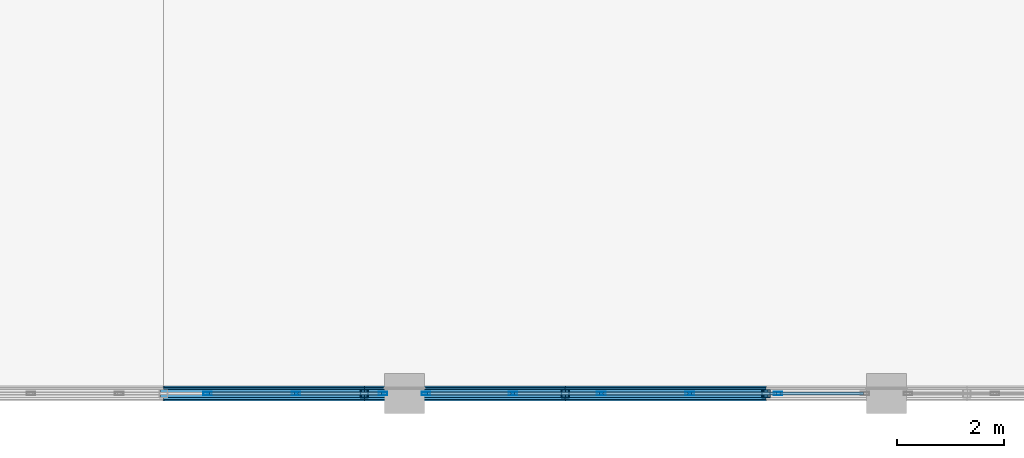
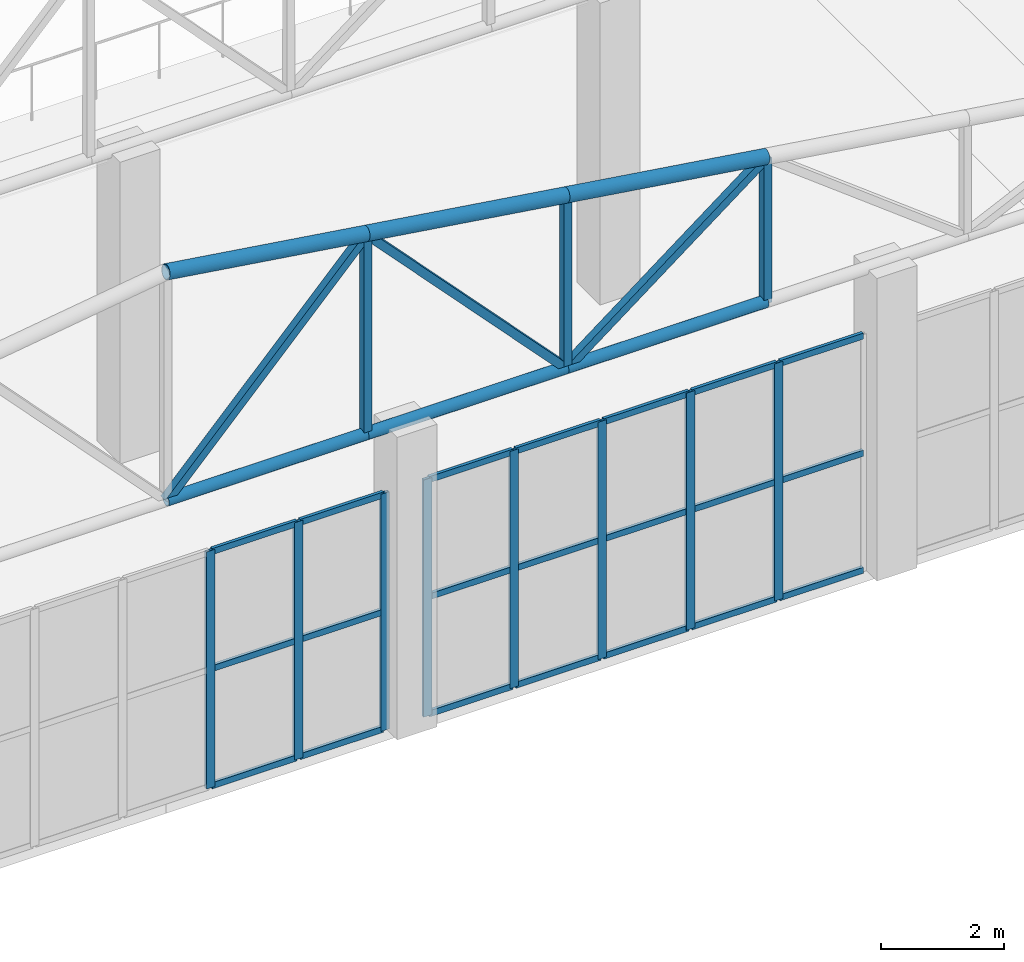
# One storey, part 50 of 223: 41 members, 2 elements without a shape of their own.
"""IFC4 building model written with IfcOpenShell, lengths in metres."""

from ifc_helpers import new_model, si_unit, direction, frame, origin, origin_2d, place, context, subcontext, project, spatial, hollow_rectangle, hollow_circle, extrude, material, layer, layer_set, material_profile, profile_set, type_object, element, aggregate, save


model = new_model("IFC4")

# Units and contexts
model_context = context("Model", 3, precision=1e-05, world=origin(), true_north=direction((0.0, 1.0)))
body_context = subcontext(model_context, "Body", "Model", "MODEL_VIEW")
ifc_project = project(units=[si_unit("LENGTHUNIT", "METRE"), si_unit("AREAUNIT", "SQUARE_METRE"), si_unit("VOLUMEUNIT", "CUBIC_METRE"), si_unit("PLANEANGLEUNIT", "RADIAN"), si_unit("MASSUNIT", "GRAM", prefix="KILO")], contexts=[model_context])

# Site, building, storey
site_placement = place(None, origin())
site = spatial("IfcSite", under=ifc_project, at=site_placement, CompositionType="ELEMENT")
building_placement = place(site_placement, origin())
building = spatial("IfcBuilding", under=site, at=building_placement, Name="Dornveld Trade and Exhibition Forum", CompositionType="ELEMENT")
storey_placement = place(building_placement, frame((0.0, 0.0, 6.0)))
storey = spatial("IfcBuildingStorey", under=building, at=storey_placement, Name="L01", CompositionType="ELEMENT", Elevation=6.0)

# Curtain wall, members
ifc_material_1 = material(Name="Dark-bronze anodised aluminium and low-E glass", Category="aluminium")
ifc_layer_1 = layer(ifc_material_1, 0.1689453125)
ifc_layer_set_1 = layer_set([ifc_layer_1], Name="Dark-bronze anodised aluminium and low-E glass")
curtain_wall_type_1 = type_object("IfcCurtainWallType", Name="CW-SYS-09", PredefinedType="USERDEFINED", material=ifc_layer_set_1)
curtain_wall_1_placement = place(storey_placement, origin())
curtain_wall_1 = element("IfcCurtainWall", 1, at=curtain_wall_1_placement, inside=storey, type_object=curtain_wall_type_1, Name="L01 unitised curtain wall 135", ObjectType="UNITISED_CURTAIN_WALL", PredefinedType="USERDEFINED")
ifc_material_2 = material(Name="Dark-bronze anodised aluminium", Category="aluminium")
ifc_material_profile_1 = material_profile(ifc_material_2, hollow_rectangle(XDim=0.06005859375, YDim=0.159912109375, WallThickness=0.00390625, at=origin_2d()), Name="RHS 160x60x4")
ifc_profile_set_1 = profile_set([ifc_material_profile_1], Name="Dark-bronze anodised aluminium")
member_type_1 = type_object("IfcMemberType", Name="CW-MUL-160", PredefinedType="MULLION", material=ifc_profile_set_1)
member_1_placement = place(storey_placement, frame((176.32568359375, 0.0, -0.00390625), z_axis=(0.0, 0.0, 1.0), x_axis=(0.0, 1.0, 0.0)))
member_1 = element("IfcMember", 2, at=member_1_placement, type_object=member_type_1, Name="CW-09 mullion 4", PredefinedType="MULLION", context=body_context, shape_type="SweptSolid", body=[
    extrude(hollow_rectangle(XDim=0.06005859375, YDim=0.159912109375, WallThickness=0.00390625, at=origin_2d()), origin(), (0.0, 0.0, 1.0), 4.703857421875),
])
member_2_placement = place(storey_placement, frame((177.977294921875, 0.0, -0.00390625), z_axis=(0.0, 0.0, 1.0), x_axis=(0.0, 1.0, 0.0)))
member_2 = element("IfcMember", 3, at=member_2_placement, type_object=member_type_1, Name="CW-09 mullion 5", PredefinedType="MULLION", context=body_context, shape_type="SweptSolid", body=[
    extrude(hollow_rectangle(XDim=0.06005859375, YDim=0.159912109375, WallThickness=0.00390625, at=origin_2d()), origin(), (0.0, 0.0, 1.0), 4.703857421875),
])
member_3_placement = place(storey_placement, frame((179.59912109375, 0.0, -0.00390625), z_axis=(0.0, 0.0, 1.0), x_axis=(0.0, 1.0, 0.0)))
member_3 = element("IfcMember", 4, at=member_3_placement, type_object=member_type_1, Name="CW-09 mullion 6", PredefinedType="MULLION", context=body_context, shape_type="SweptSolid", body=[
    extrude(hollow_rectangle(XDim=0.06005859375, YDim=0.159912109375, WallThickness=0.00390625, at=origin_2d()), origin(), (0.0, 0.0, 1.0), 4.703857421875),
])

ifc_material_3 = material(Name="Dark-bronze anodised aluminium and low-E glass", Category="aluminium")
ifc_layer_2 = layer(ifc_material_3, 0.172119140625)
ifc_layer_set_2 = layer_set([ifc_layer_2], Name="Dark-bronze anodised aluminium and low-E glass")
curtain_wall_type_2 = type_object("IfcCurtainWallType", Name="CW-SYS-10", PredefinedType="USERDEFINED", material=ifc_layer_set_2)
curtain_wall_2_placement = place(storey_placement, origin())
curtain_wall_2 = element("IfcCurtainWall", 5, at=curtain_wall_2_placement, inside=storey, type_object=curtain_wall_type_2, Name="L01 unitised curtain wall 136", ObjectType="UNITISED_CURTAIN_WALL", PredefinedType="USERDEFINED")
member_4_placement = place(storey_placement, frame((180.40087890625, 0.0, -0.00390625), z_axis=(0.0, 0.0, 1.0), x_axis=(0.0, 1.0, 0.0)))
member_4 = element("IfcMember", 6, at=member_4_placement, type_object=member_type_1, Name="CW-10 mullion 1", PredefinedType="MULLION", context=body_context, shape_type="SweptSolid", body=[
    extrude(hollow_rectangle(XDim=0.06005859375, YDim=0.159912109375, WallThickness=0.00390625, at=origin_2d()), origin(), (0.0, 0.0, 1.0), 4.703857421875),
])
member_5_placement = place(storey_placement, frame((182.022705078125, 0.0, -0.00390625), z_axis=(0.0, 0.0, 1.0), x_axis=(0.0, 1.0, 0.0)))
member_5 = element("IfcMember", 7, at=member_5_placement, type_object=member_type_1, Name="CW-10 mullion 2", PredefinedType="MULLION", context=body_context, shape_type="SweptSolid", body=[
    extrude(hollow_rectangle(XDim=0.06005859375, YDim=0.159912109375, WallThickness=0.00390625, at=origin_2d()), origin(), (0.0, 0.0, 1.0), 4.703857421875),
])
member_6_placement = place(storey_placement, frame((183.67431640625, 0.0, -0.00390625), z_axis=(0.0, 0.0, 1.0), x_axis=(0.0, 1.0, 0.0)))
member_6 = element("IfcMember", 8, at=member_6_placement, type_object=member_type_1, Name="CW-10 mullion 3", PredefinedType="MULLION", context=body_context, shape_type="SweptSolid", body=[
    extrude(hollow_rectangle(XDim=0.06005859375, YDim=0.159912109375, WallThickness=0.00390625, at=origin_2d()), origin(), (0.0, 0.0, 1.0), 4.703857421875),
])
member_7_placement = place(storey_placement, frame((185.32568359375, 0.0, -0.00390625), z_axis=(0.0, 0.0, 1.0), x_axis=(0.0, 1.0, 0.0)))
member_7 = element("IfcMember", 9, at=member_7_placement, type_object=member_type_1, Name="CW-10 mullion 4", PredefinedType="MULLION", context=body_context, shape_type="SweptSolid", body=[
    extrude(hollow_rectangle(XDim=0.06005859375, YDim=0.159912109375, WallThickness=0.00390625, at=origin_2d()), origin(), (0.0, 0.0, 1.0), 4.703857421875),
])
member_8_placement = place(storey_placement, frame((186.977294921875, 0.0, -0.00390625), z_axis=(0.0, 0.0, 1.0), x_axis=(0.0, 1.0, 0.0)))
member_8 = element("IfcMember", 10, at=member_8_placement, type_object=member_type_1, Name="CW-10 mullion 5", PredefinedType="MULLION", context=body_context, shape_type="SweptSolid", body=[
    extrude(hollow_rectangle(XDim=0.06005859375, YDim=0.159912109375, WallThickness=0.00390625, at=origin_2d()), origin(), (0.0, 0.0, 1.0), 4.703857421875),
])

# Member
ifc_material_4 = material(Name="Dark-bronze anodised aluminium", Category="aluminium")
ifc_material_profile_2 = material_profile(ifc_material_4, hollow_rectangle(XDim=0.06005859375, YDim=0.1201171875, WallThickness=0.00390625, at=origin_2d()), Name="RHS 120x60x4")
ifc_profile_set_2 = profile_set([ifc_material_profile_2], Name="Dark-bronze anodised aluminium")
member_type_2 = type_object("IfcMemberType", Name="CW-TRN-120", PredefinedType="USERDEFINED", material=ifc_profile_set_2)
member_9_placement = place(storey_placement, frame((176.355712890625, 0.0, 0.02587890625), z_axis=(1.0, 0.0, 0.0), x_axis=(0.0, 1.0, 0.0)))
member_9 = element("IfcMember", 11, at=member_9_placement, type_object=member_type_2, Name="CW-09 transom 4.1", ObjectType="TRANSOM", PredefinedType="USERDEFINED", context=body_context, shape_type="SweptSolid", body=[
    extrude(hollow_rectangle(XDim=0.06005859375, YDim=0.1201171875, WallThickness=0.00390625, at=origin_2d()), origin(), (0.0, 0.0, 1.0), 1.591796875),
])

member_10_placement = place(storey_placement, frame((176.355712890625, 0.0, 2.347900390625), z_axis=(1.0, 0.0, 0.0), x_axis=(0.0, 1.0, 0.0)))
member_10 = element("IfcMember", 12, at=member_10_placement, type_object=member_type_2, Name="CW-09 transom 4.2", ObjectType="TRANSOM", PredefinedType="USERDEFINED", context=body_context, shape_type="SweptSolid", body=[
    extrude(hollow_rectangle(XDim=0.06005859375, YDim=0.1201171875, WallThickness=0.00390625, at=origin_2d()), origin(), (0.0, 0.0, 1.0), 1.591796875),
])

member_11_placement = place(storey_placement, frame((176.355712890625, 0.0, 4.669921875), z_axis=(1.0, 0.0, 0.0), x_axis=(0.0, 1.0, 0.0)))
member_11 = element("IfcMember", 13, at=member_11_placement, type_object=member_type_2, Name="CW-09 transom 4.3", ObjectType="TRANSOM", PredefinedType="USERDEFINED", context=body_context, shape_type="SweptSolid", body=[
    extrude(hollow_rectangle(XDim=0.06005859375, YDim=0.1201171875, WallThickness=0.00390625, at=origin_2d()), origin(), (0.0, 0.0, 1.0), 1.591796875),
])

member_12_placement = place(storey_placement, frame((178.00732421875, 0.0, 0.02587890625), z_axis=(1.0, 0.0, 0.0), x_axis=(0.0, 1.0, 0.0)))
member_12 = element("IfcMember", 14, at=member_12_placement, type_object=member_type_2, Name="CW-09 transom 5.1", ObjectType="TRANSOM", PredefinedType="USERDEFINED", context=body_context, shape_type="SweptSolid", body=[
    extrude(hollow_rectangle(XDim=0.06005859375, YDim=0.1201171875, WallThickness=0.00390625, at=origin_2d()), origin(), (0.0, 0.0, 1.0), 1.561767578125),
])

member_13_placement = place(storey_placement, frame((178.00732421875, 0.0, 2.347900390625), z_axis=(1.0, 0.0, 0.0), x_axis=(0.0, 1.0, 0.0)))
member_13 = element("IfcMember", 15, at=member_13_placement, type_object=member_type_2, Name="CW-09 transom 5.2", ObjectType="TRANSOM", PredefinedType="USERDEFINED", context=body_context, shape_type="SweptSolid", body=[
    extrude(hollow_rectangle(XDim=0.06005859375, YDim=0.1201171875, WallThickness=0.00390625, at=origin_2d()), origin(), (0.0, 0.0, 1.0), 1.561767578125),
])

member_14_placement = place(storey_placement, frame((178.00732421875, 0.0, 4.669921875), z_axis=(1.0, 0.0, 0.0), x_axis=(0.0, 1.0, 0.0)))
member_14 = element("IfcMember", 16, at=member_14_placement, type_object=member_type_2, Name="CW-09 transom 5.3", ObjectType="TRANSOM", PredefinedType="USERDEFINED", context=body_context, shape_type="SweptSolid", body=[
    extrude(hollow_rectangle(XDim=0.06005859375, YDim=0.1201171875, WallThickness=0.00390625, at=origin_2d()), origin(), (0.0, 0.0, 1.0), 1.561767578125),
])

aggregate(curtain_wall_1, [member_1, member_2, member_3, member_9, member_10, member_11, member_12, member_13, member_14])

member_15_placement = place(storey_placement, frame((180.430908203125, 0.0, 0.02587890625), z_axis=(1.0, 0.0, 0.0), x_axis=(0.0, 1.0, 0.0)))
member_15 = element("IfcMember", 17, at=member_15_placement, type_object=member_type_2, Name="CW-10 transom 1.1", ObjectType="TRANSOM", PredefinedType="USERDEFINED", context=body_context, shape_type="SweptSolid", body=[
    extrude(hollow_rectangle(XDim=0.06005859375, YDim=0.1201171875, WallThickness=0.00390625, at=origin_2d()), origin(), (0.0, 0.0, 1.0), 1.561767578125),
])

member_16_placement = place(storey_placement, frame((180.430908203125, 0.0, 2.347900390625), z_axis=(1.0, 0.0, 0.0), x_axis=(0.0, 1.0, 0.0)))
member_16 = element("IfcMember", 18, at=member_16_placement, type_object=member_type_2, Name="CW-10 transom 1.2", ObjectType="TRANSOM", PredefinedType="USERDEFINED", context=body_context, shape_type="SweptSolid", body=[
    extrude(hollow_rectangle(XDim=0.06005859375, YDim=0.1201171875, WallThickness=0.00390625, at=origin_2d()), origin(), (0.0, 0.0, 1.0), 1.561767578125),
])

member_17_placement = place(storey_placement, frame((180.430908203125, 0.0, 4.669921875), z_axis=(1.0, 0.0, 0.0), x_axis=(0.0, 1.0, 0.0)))
member_17 = element("IfcMember", 19, at=member_17_placement, type_object=member_type_2, Name="CW-10 transom 1.3", ObjectType="TRANSOM", PredefinedType="USERDEFINED", context=body_context, shape_type="SweptSolid", body=[
    extrude(hollow_rectangle(XDim=0.06005859375, YDim=0.1201171875, WallThickness=0.00390625, at=origin_2d()), origin(), (0.0, 0.0, 1.0), 1.561767578125),
])

member_18_placement = place(storey_placement, frame((182.052490234375, 0.0, 0.02587890625), z_axis=(1.0, 0.0, 0.0), x_axis=(0.0, 1.0, 0.0)))
member_18 = element("IfcMember", 20, at=member_18_placement, type_object=member_type_2, Name="CW-10 transom 2.1", ObjectType="TRANSOM", PredefinedType="USERDEFINED", context=body_context, shape_type="SweptSolid", body=[
    extrude(hollow_rectangle(XDim=0.06005859375, YDim=0.1201171875, WallThickness=0.00390625, at=origin_2d()), origin(), (0.0, 0.0, 1.0), 1.591796875),
])

member_19_placement = place(storey_placement, frame((182.052490234375, 0.0, 2.347900390625), z_axis=(1.0, 0.0, 0.0), x_axis=(0.0, 1.0, 0.0)))
member_19 = element("IfcMember", 21, at=member_19_placement, type_object=member_type_2, Name="CW-10 transom 2.2", ObjectType="TRANSOM", PredefinedType="USERDEFINED", context=body_context, shape_type="SweptSolid", body=[
    extrude(hollow_rectangle(XDim=0.06005859375, YDim=0.1201171875, WallThickness=0.00390625, at=origin_2d()), origin(), (0.0, 0.0, 1.0), 1.591796875),
])

member_20_placement = place(storey_placement, frame((182.052490234375, 0.0, 4.669921875), z_axis=(1.0, 0.0, 0.0), x_axis=(0.0, 1.0, 0.0)))
member_20 = element("IfcMember", 22, at=member_20_placement, type_object=member_type_2, Name="CW-10 transom 2.3", ObjectType="TRANSOM", PredefinedType="USERDEFINED", context=body_context, shape_type="SweptSolid", body=[
    extrude(hollow_rectangle(XDim=0.06005859375, YDim=0.1201171875, WallThickness=0.00390625, at=origin_2d()), origin(), (0.0, 0.0, 1.0), 1.591796875),
])

member_21_placement = place(storey_placement, frame((183.7041015625, 0.0, 0.02587890625), z_axis=(1.0, 0.0, 0.0), x_axis=(0.0, 1.0, 0.0)))
member_21 = element("IfcMember", 23, at=member_21_placement, type_object=member_type_2, Name="CW-10 transom 3.1", ObjectType="TRANSOM", PredefinedType="USERDEFINED", context=body_context, shape_type="SweptSolid", body=[
    extrude(hollow_rectangle(XDim=0.06005859375, YDim=0.1201171875, WallThickness=0.00390625, at=origin_2d()), origin(), (0.0, 0.0, 1.0), 1.591796875),
])

member_22_placement = place(storey_placement, frame((183.7041015625, 0.0, 2.347900390625), z_axis=(1.0, 0.0, 0.0), x_axis=(0.0, 1.0, 0.0)))
member_22 = element("IfcMember", 24, at=member_22_placement, type_object=member_type_2, Name="CW-10 transom 3.2", ObjectType="TRANSOM", PredefinedType="USERDEFINED", context=body_context, shape_type="SweptSolid", body=[
    extrude(hollow_rectangle(XDim=0.06005859375, YDim=0.1201171875, WallThickness=0.00390625, at=origin_2d()), origin(), (0.0, 0.0, 1.0), 1.591796875),
])

member_23_placement = place(storey_placement, frame((183.7041015625, 0.0, 4.669921875), z_axis=(1.0, 0.0, 0.0), x_axis=(0.0, 1.0, 0.0)))
member_23 = element("IfcMember", 25, at=member_23_placement, type_object=member_type_2, Name="CW-10 transom 3.3", ObjectType="TRANSOM", PredefinedType="USERDEFINED", context=body_context, shape_type="SweptSolid", body=[
    extrude(hollow_rectangle(XDim=0.06005859375, YDim=0.1201171875, WallThickness=0.00390625, at=origin_2d()), origin(), (0.0, 0.0, 1.0), 1.591796875),
])

member_24_placement = place(storey_placement, frame((185.355712890625, 0.0, 0.02587890625), z_axis=(1.0, 0.0, 0.0), x_axis=(0.0, 1.0, 0.0)))
member_24 = element("IfcMember", 26, at=member_24_placement, type_object=member_type_2, Name="CW-10 transom 4.1", ObjectType="TRANSOM", PredefinedType="USERDEFINED", context=body_context, shape_type="SweptSolid", body=[
    extrude(hollow_rectangle(XDim=0.06005859375, YDim=0.1201171875, WallThickness=0.00390625, at=origin_2d()), origin(), (0.0, 0.0, 1.0), 1.591796875),
])

member_25_placement = place(storey_placement, frame((185.355712890625, 0.0, 2.347900390625), z_axis=(1.0, 0.0, 0.0), x_axis=(0.0, 1.0, 0.0)))
member_25 = element("IfcMember", 27, at=member_25_placement, type_object=member_type_2, Name="CW-10 transom 4.2", ObjectType="TRANSOM", PredefinedType="USERDEFINED", context=body_context, shape_type="SweptSolid", body=[
    extrude(hollow_rectangle(XDim=0.06005859375, YDim=0.1201171875, WallThickness=0.00390625, at=origin_2d()), origin(), (0.0, 0.0, 1.0), 1.591796875),
])

member_26_placement = place(storey_placement, frame((185.355712890625, 0.0, 4.669921875), z_axis=(1.0, 0.0, 0.0), x_axis=(0.0, 1.0, 0.0)))
member_26 = element("IfcMember", 28, at=member_26_placement, type_object=member_type_2, Name="CW-10 transom 4.3", ObjectType="TRANSOM", PredefinedType="USERDEFINED", context=body_context, shape_type="SweptSolid", body=[
    extrude(hollow_rectangle(XDim=0.06005859375, YDim=0.1201171875, WallThickness=0.00390625, at=origin_2d()), origin(), (0.0, 0.0, 1.0), 1.591796875),
])

member_27_placement = place(storey_placement, frame((187.00732421875, 0.0, 0.02587890625), z_axis=(1.0, 0.0, 0.0), x_axis=(0.0, 1.0, 0.0)))
member_27 = element("IfcMember", 29, at=member_27_placement, type_object=member_type_2, Name="CW-10 transom 5.1", ObjectType="TRANSOM", PredefinedType="USERDEFINED", context=body_context, shape_type="SweptSolid", body=[
    extrude(hollow_rectangle(XDim=0.06005859375, YDim=0.1201171875, WallThickness=0.00390625, at=origin_2d()), origin(), (0.0, 0.0, 1.0), 1.561767578125),
])

member_28_placement = place(storey_placement, frame((187.00732421875, 0.0, 2.347900390625), z_axis=(1.0, 0.0, 0.0), x_axis=(0.0, 1.0, 0.0)))
member_28 = element("IfcMember", 30, at=member_28_placement, type_object=member_type_2, Name="CW-10 transom 5.2", ObjectType="TRANSOM", PredefinedType="USERDEFINED", context=body_context, shape_type="SweptSolid", body=[
    extrude(hollow_rectangle(XDim=0.06005859375, YDim=0.1201171875, WallThickness=0.00390625, at=origin_2d()), origin(), (0.0, 0.0, 1.0), 1.561767578125),
])

member_29_placement = place(storey_placement, frame((187.00732421875, 0.0, 4.669921875), z_axis=(1.0, 0.0, 0.0), x_axis=(0.0, 1.0, 0.0)))
member_29 = element("IfcMember", 31, at=member_29_placement, type_object=member_type_2, Name="CW-10 transom 5.3", ObjectType="TRANSOM", PredefinedType="USERDEFINED", context=body_context, shape_type="SweptSolid", body=[
    extrude(hollow_rectangle(XDim=0.06005859375, YDim=0.1201171875, WallThickness=0.00390625, at=origin_2d()), origin(), (0.0, 0.0, 1.0), 1.561767578125),
])

aggregate(curtain_wall_2, [member_4, member_5, member_6, member_7, member_8, member_15, member_16, member_17, member_18, member_19, member_20, member_21, member_22, member_23, member_24, member_25, member_26, member_27, member_28, member_29])

# Members
ifc_material_5 = material(Name="Steel S355J2", Category="steel")
ifc_material_profile_3 = material_profile(ifc_material_5, hollow_rectangle(XDim=0.14990234375, YDim=0.14990234375, WallThickness=0.008056640625, at=origin_2d()), Name="SHS 150x150x8")
ifc_profile_set_3 = profile_set([ifc_material_profile_3], Name="Steel S355J2")
member_type_3 = type_object("IfcMemberType", Name="MEM-ARCH-STR", PredefinedType="STRUT", material=ifc_profile_set_3)
member_30_placement = place(storey_placement, frame((179.25, 0.0, 5.97998046875), z_axis=(0.0, 0.0, 1.0), x_axis=(1.0, 0.0, 0.0)))
element("IfcMember", 32, at=member_30_placement, inside=storey, type_object=member_type_3, Name="Congress roof truss 1 post 8", PredefinedType="STRUT", context=body_context, shape_type="SweptSolid", body=[
    extrude(hollow_rectangle(XDim=0.14990234375, YDim=0.14990234375, WallThickness=0.008056640625, at=origin_2d()), origin(), (0.0, 0.0, 1.0), 3.969970703125),
])
member_31_placement = place(storey_placement, frame((183.0, 0.0, 5.97998046875), z_axis=(0.0, 0.0, 1.0), x_axis=(1.0, 0.0, 0.0)))
element("IfcMember", 33, at=member_31_placement, inside=storey, type_object=member_type_3, Name="Congress roof truss 1 post 9", PredefinedType="STRUT", context=body_context, shape_type="SweptSolid", body=[
    extrude(hollow_rectangle(XDim=0.14990234375, YDim=0.14990234375, WallThickness=0.008056640625, at=origin_2d()), origin(), (0.0, 0.0, 1.0), 3.419921875),
])
member_32_placement = place(storey_placement, frame((186.75, 0.0, 5.97998046875), z_axis=(0.0, 0.0, 1.0), x_axis=(1.0, 0.0, 0.0)))
element("IfcMember", 34, at=member_32_placement, inside=storey, type_object=member_type_3, Name="Congress roof truss 1 post 10", PredefinedType="STRUT", context=body_context, shape_type="SweptSolid", body=[
    extrude(hollow_rectangle(XDim=0.14990234375, YDim=0.14990234375, WallThickness=0.008056640625, at=origin_2d()), origin(), (0.0, 0.0, 1.0), 2.8701171875),
])
ifc_material_6 = material(Name="Steel S355J2", Category="steel")
ifc_material_profile_4 = material_profile(ifc_material_6, hollow_circle(Radius=0.109619140625, WallThickness=0.010009765625, at=origin_2d()), Name="CHS 219.1x10")
ifc_profile_set_4 = profile_set([ifc_material_profile_4], Name="Steel S355J2")
member_type_4 = type_object("IfcMemberType", Name="MEM-CONG-BC", PredefinedType="CHORD", material=ifc_profile_set_4)
for number, where, z_axis, x_axis, name in (
    (35, (175.5, 0.0, 5.97998046875), (1.0, 0.0, 0.0), (0.0, 1.0, 0.0), "Congress roof truss 1 bottom chord 7"),
    (36, (179.25, 0.0, 5.97998046875), (1.0, 0.0, 0.0), (0.0, 1.0, 0.0), "Congress roof truss 1 bottom chord 8"),
    (37, (183.0, 0.0, 5.97998046875), (1.0, 0.0, 0.0), (0.0, 1.0, 0.0), "Congress roof truss 1 bottom chord 9"),
):
    element("IfcMember", number, at=place(storey_placement, frame(where, z_axis=z_axis, x_axis=x_axis)), inside=storey, type_object=member_type_4, Name=name, PredefinedType="CHORD", context=body_context, shape_type="SweptSolid", body=[
        extrude(hollow_circle(Radius=0.109619140625, WallThickness=0.010009765625, at=origin_2d()), origin(), (0.0, 0.0, 1.0), 3.75),
    ])
ifc_material_7 = material(Name="Steel S355J2", Category="steel")
ifc_material_profile_5 = material_profile(ifc_material_7, hollow_circle(Radius=0.136474609375, WallThickness=0.012451171875, at=origin_2d()), Name="CHS 273x12.5")
ifc_profile_set_5 = profile_set([ifc_material_profile_5], Name="Steel S355J2")
member_type_5 = type_object("IfcMemberType", Name="MEM-CONG-TC", PredefinedType="CHORD", material=ifc_profile_set_5)
for number, where, z_axis, x_axis, name in (
    (38, (175.5, 0.0, 10.5), (0.989413064489, 0.0, -0.145126799108), (0.0, 1.0, 0.0), "Congress roof truss 1 top chord 7"),
    (39, (179.25, 0.0, 9.949951171875), (0.989413064489, 0.0, -0.145126799108), (0.0, 1.0, 0.0), "Congress roof truss 1 top chord 8"),
    (40, (183.0, 0.0, 9.39990234375), (0.989422311926, 0.0, -0.145063740004), (0.0, 1.0, 0.0), "Congress roof truss 1 top chord 9"),
):
    element("IfcMember", number, at=place(storey_placement, frame(where, z_axis=z_axis, x_axis=x_axis)), inside=storey, type_object=member_type_5, Name=name, PredefinedType="CHORD", context=body_context, shape_type="SweptSolid", body=[
        extrude(hollow_circle(Radius=0.136474609375, WallThickness=0.012451171875, at=origin_2d()), origin(), (0.0, 0.0, 1.0), 3.7900390625),
    ])
ifc_material_8 = material(Name="Steel S355J2", Category="steel")
ifc_material_profile_6 = material_profile(ifc_material_8, hollow_rectangle(XDim=0.14990234375, YDim=0.14990234375, WallThickness=0.008056640625, at=origin_2d()), Name="SHS 150x150x8")
ifc_profile_set_6 = profile_set([ifc_material_profile_6], Name="Steel S355J2")
member_type_6 = type_object("IfcMemberType", Name="MEM-CONG-WEB", PredefinedType="BRACE", material=ifc_profile_set_6)
for number, where, z_axis, x_axis, name in (
    (41, (175.5, 0.0, 5.97998046875), (0.686679978257, 0.0, 0.72695983896), (0.0, 1.0, 0.0), "Congress roof truss 1 web 7"),
    (42, (183.0, 0.0, 5.97998046875), (-0.686679978257, 0.0, 0.72695983896), (0.0, -1.0, 0.0), "Congress roof truss 1 web 8"),
):
    element("IfcMember", number, at=place(storey_placement, frame(where, z_axis=z_axis, x_axis=x_axis)), inside=storey, type_object=member_type_6, Name=name, PredefinedType="BRACE", context=body_context, shape_type="SweptSolid", body=[
        extrude(hollow_rectangle(XDim=0.14990234375, YDim=0.14990234375, WallThickness=0.008056640625, at=origin_2d()), origin(), (0.0, 0.0, 1.0), 5.4609375),
    ])
member_33_placement = place(storey_placement, frame((183.0, 0.0, 5.97998046875), z_axis=(0.794105362147, 0.0, 0.607780119623), x_axis=(0.0, 1.0, 0.0)))
element("IfcMember", 43, at=member_33_placement, inside=storey, type_object=member_type_6, Name="Congress roof truss 1 web 9", PredefinedType="BRACE", context=body_context, shape_type="SweptSolid", body=[
    extrude(hollow_rectangle(XDim=0.14990234375, YDim=0.14990234375, WallThickness=0.008056640625, at=origin_2d()), origin(), (0.0, 0.0, 1.0), 4.722412109375),
])

save(model, "model.ifc")
